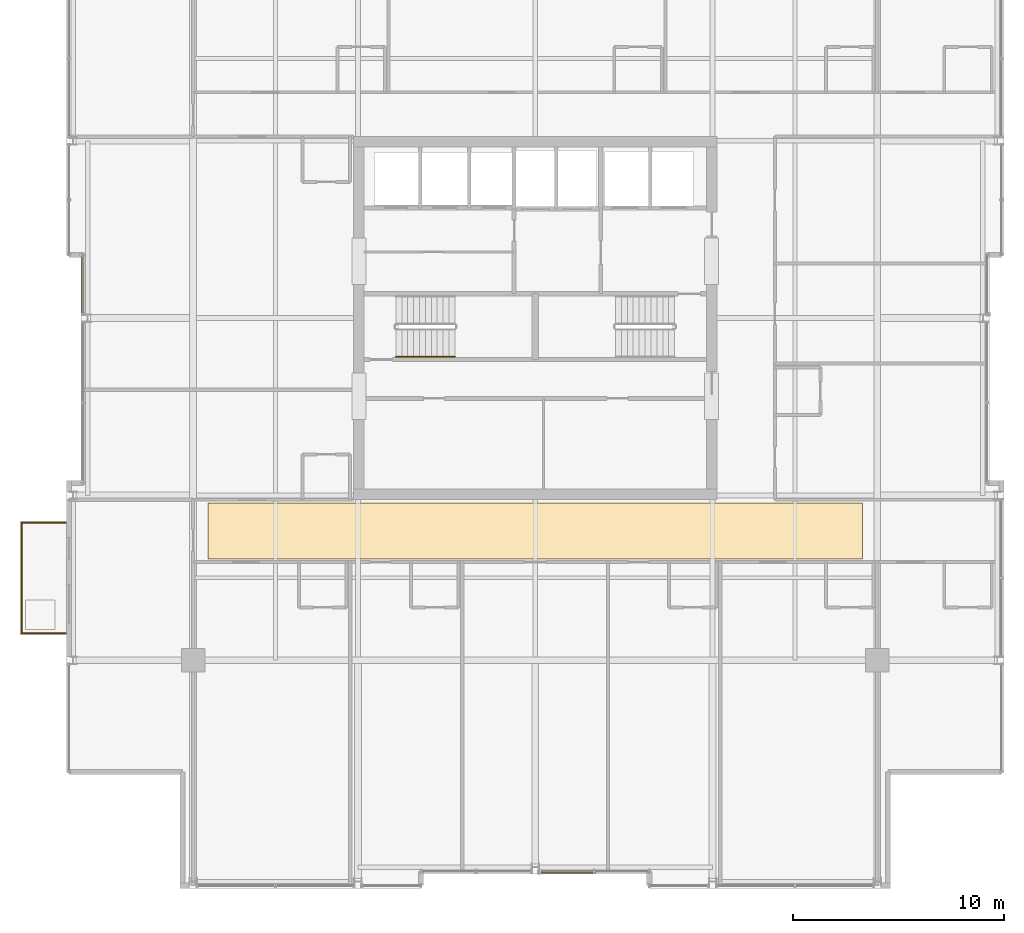
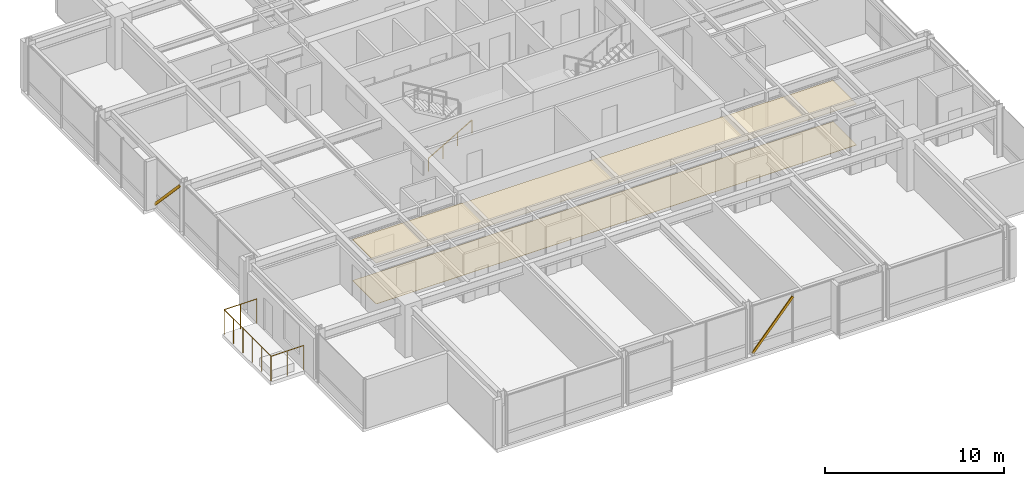
# One storey, part 30 of 32: 2 coverings, 2 railings, 2 shading devices.
"""IFC4 building model written with IfcOpenShell, lengths in metres."""

from ifc_helpers import new_model, si_unit, direction, frame, origin, origin_2d, place, context, subcontext, project, spatial, polyline, hollow_rectangle, circle, outline, extrude, material, layer, layer_set, material_profile, profile_set, type_object, element, save


model = new_model("IFC4")

# Units and contexts
model_context = context("Model", 3, precision=1e-05, world=origin(), true_north=direction((0.0, 1.0)))
body_context = subcontext(model_context, "Body", "Model", "MODEL_VIEW")
ifc_project = project(units=[si_unit("LENGTHUNIT", "METRE"), si_unit("AREAUNIT", "SQUARE_METRE"), si_unit("VOLUMEUNIT", "CUBIC_METRE"), si_unit("PLANEANGLEUNIT", "RADIAN"), si_unit("MASSUNIT", "GRAM", prefix="KILO")], contexts=[model_context])

# Site, building, storey
site_placement = place(None, origin())
site = spatial("IfcSite", under=ifc_project, at=site_placement, CompositionType="ELEMENT")
building_placement = place(site_placement, origin())
building = spatial("IfcBuilding", under=site, at=building_placement, Name="Drelvath Grand Hotel", CompositionType="ELEMENT")
storey_placement = place(building_placement, frame((0.0, 0.0, 226.699951171875)))
storey = spatial("IfcBuildingStorey", under=building, at=storey_placement, Name="L59", CompositionType="ELEMENT", Elevation=226.699951171875)

# Railing
ifc_material_1 = material(Name="Painted Steel S275", Category="steel")
railing_type_1 = type_object("IfcRailingType", Name="Core Stair Wall Handrail 900", PredefinedType="HANDRAIL", material=ifc_material_1)
railing_1_placement = place(storey_placement, frame((-6.60009765625, 25.169921875, 0.16357421875)))
element("IfcRailing", 1, at=railing_1_placement, inside=storey, type_object=railing_type_1, Name="L59 ST-1 stair handrail 1", PredefinedType="HANDRAIL", context=body_context, shape_type="SweptSolid", body=[
    extrude(circle(Radius=0.02392578125, at=origin_2d()), frame((0.0, 0.0, 0.8759765625), z_axis=(0.863360870873, 0.0, 0.504586966384), x_axis=(0.0, 1.0, 0.0)), (0.0, 0.0, 1.0), 3.2431640625),
    extrude(circle(Radius=0.02099609375, at=origin_2d()), origin(), (0.0, 0.0, 1.0), 0.851806640625),
    extrude(circle(Radius=0.02099609375, at=origin_2d()), frame((0.933349609375, 0.0, 0.54541015625)), (0.0, 0.0, 1.0), 0.851806640625),
    extrude(circle(Radius=0.02099609375, at=origin_2d()), frame((1.86669921875, 0.0, 1.091064453125)), (0.0, 0.0, 1.0), 0.851806640625),
    extrude(circle(Radius=0.02099609375, at=origin_2d()), frame((2.800048828125, 0.0, 1.636474609375)), (0.0, 0.0, 1.0), 0.851806640625),
])

# Shading devices
ifc_material_2 = material(Name="Platinum-Mist Anodised Aluminium", Category="aluminium")
ifc_material_profile = material_profile(ifc_material_2, hollow_rectangle(XDim=0.06494140625, YDim=0.159912109375, WallThickness=0.00390625, at=origin_2d()), Name="HSS160X65X4")
ifc_profile_set = profile_set([ifc_material_profile], Name="Platinum-Mist Anodised Aluminium")
shading_device_type = type_object("IfcShadingDeviceType", Name="Diagonal Solar Fin Platinum Anodised HSS160X65X4", PredefinedType="USERDEFINED", material=ifc_profile_set)
shading_device_1_placement = place(storey_placement, frame((-21.47998046875, 30.0, 0.179931640625), z_axis=(0.0, -0.686628779373, 0.727008197572), x_axis=(1.0, 0.0, 0.0)))
element("IfcShadingDevice", 2, at=shading_device_1_placement, inside=storey, type_object=shading_device_type, Name="L59 Diagonal Anodised Fin CW05-L59-WM2", ObjectType="FIN", PredefinedType="USERDEFINED", context=body_context, shape_type="SweptSolid", body=[
    extrude(hollow_rectangle(XDim=0.06494140625, YDim=0.159912109375, WallThickness=0.00390625, at=origin_2d()), origin(), (0.0, 0.0, 1.0), 4.099365234375),
])
shading_device_2_placement = place(storey_placement, frame((0.185302734375, 0.719970703125, 0.179931640625), z_axis=(0.658465322971, 0.0, 0.752611067182), x_axis=(0.0, 1.0, 0.0)))
element("IfcShadingDevice", 3, at=shading_device_2_placement, inside=storey, type_object=shading_device_type, Name="L59 Diagonal Anodised Fin CW05-L59-SM2", ObjectType="FIN", PredefinedType="USERDEFINED", context=body_context, shape_type="SweptSolid", body=[
    extrude(hollow_rectangle(XDim=0.06494140625, YDim=0.159912109375, WallThickness=0.00390625, at=origin_2d()), origin(), (0.0, 0.0, 1.0), 3.9599609375),
])

# Coverings
ifc_material_3 = material(Name="Woven Wool Broadloom Carpet")
ifc_layer_1 = layer(ifc_material_3, 0.01806640625)
ifc_layer_set_1 = layer_set([ifc_layer_1], Name="Woven Wool Broadloom Carpet")
covering_type_1 = type_object("IfcCoveringType", Name="Hospitality Broadloom Carpet 18", PredefinedType="FLOORING", material=ifc_layer_set_1)
covering_1_placement = place(storey_placement, origin())
element("IfcCovering", 4, at=covering_1_placement, inside=storey, type_object=covering_type_1, Name="L59 Upper Gallery Carpet", PredefinedType="FLOORING", context=body_context, shape_type="SweptSolid", body=[
    extrude(outline(polyline([(15.5, 15.60009765625), (15.5, 18.25), (-15.5, 18.25), (-15.5, 15.60009765625), (15.5, 15.60009765625)])), origin(), (0.0, 0.0, 1.0), 0.01806640625),
])
ifc_material_4 = material(Name="Anodised Aluminium Alloy", Category="aluminium")
ifc_layer_2 = layer(ifc_material_4, 0.0400390625)
ifc_layer_set_2 = layer_set([ifc_layer_2], Name="Anodised Aluminium Alloy")
covering_type_2 = type_object("IfcCoveringType", Name="Perforated Metal Corridor Ceiling 40", PredefinedType="CEILING", material=ifc_layer_set_2)
covering_2_placement = place(storey_placement, frame((0.0, 0.0, 2.7900390625)))
element("IfcCovering", 5, at=covering_2_placement, inside=storey, type_object=covering_type_2, Name="L59 Upper Gallery Ceiling", PredefinedType="CEILING", context=body_context, shape_type="SweptSolid", body=[
    extrude(outline(polyline([(15.5, 15.60009765625), (15.5, 18.25), (-15.5, 18.25), (-15.5, 15.60009765625), (15.5, 15.60009765625)])), origin(), (0.0, 0.0, 1.0), 0.0400390625),
])

# Railing
ifc_material_5 = material(Name="Anodised Aluminium and Laminated Glass Balustrade", Category="aluminium")
railing_type_2 = type_object("IfcRailingType", Name="Raised Planter Edge Balustrade 1700", PredefinedType="BALUSTRADE", material=ifc_material_5)
railing_2_placement = place(storey_placement, frame((-22.219970703125, 12.080078125, 0.0)))
element("IfcRailing", 6, at=railing_2_placement, inside=storey, type_object=railing_type_2, Name="L59 Tree Balcony Perimeter Balustrade 1", PredefinedType="BALUSTRADE", context=body_context, shape_type="SweptSolid", body=[
    extrude(circle(Radius=0.02392578125, at=origin_2d()), frame((0.0, 0.0, 1.67578125), z_axis=(-1.0, 0.0, 0.0), x_axis=(0.0, -1.0, 0.0)), (0.0, 0.0, 1.0), 2.10009765625),
    extrude(circle(Radius=0.02392578125, at=origin_2d()), frame((-2.10009765625, 0.0, 1.67578125), z_axis=(0.0, 1.0, 0.0), x_axis=(-1.0, 0.0, 0.0)), (0.0, 0.0, 1.0), 5.239990234375),
    extrude(circle(Radius=0.02392578125, at=origin_2d()), frame((-2.10009765625, 5.239990234375, 1.67578125), z_axis=(1.0, 0.0, 0.0), x_axis=(0.0, 1.0, 0.0)), (0.0, 0.0, 1.0), 2.10009765625),
    extrude(circle(Radius=0.02099609375, at=origin_2d()), origin(), (0.0, 0.0, 1.0), 1.65185546875),
    extrude(circle(Radius=0.02099609375, at=origin_2d()), frame((-1.050048828125, 0.0, 0.0)), (0.0, 0.0, 1.0), 1.65185546875),
    extrude(circle(Radius=0.02099609375, at=origin_2d()), frame((-2.10009765625, 0.0, 0.0)), (0.0, 0.0, 1.0), 1.65185546875),
    extrude(circle(Radius=0.02099609375, at=origin_2d()), frame((-2.10009765625, 1.048095703125, 0.0)), (0.0, 0.0, 1.0), 1.65185546875),
    extrude(circle(Radius=0.02099609375, at=origin_2d()), frame((-2.10009765625, 2.095947265625, 0.0)), (0.0, 0.0, 1.0), 1.65185546875),
    extrude(circle(Radius=0.02099609375, at=origin_2d()), frame((-2.10009765625, 3.14404296875, 0.0)), (0.0, 0.0, 1.0), 1.65185546875),
    extrude(circle(Radius=0.02099609375, at=origin_2d()), frame((-2.10009765625, 4.19189453125, 0.0)), (0.0, 0.0, 1.0), 1.65185546875),
    extrude(circle(Radius=0.02099609375, at=origin_2d()), frame((-2.10009765625, 5.239990234375, 0.0)), (0.0, 0.0, 1.0), 1.65185546875),
    extrude(circle(Radius=0.02099609375, at=origin_2d()), frame((-1.050048828125, 5.239990234375, 0.0)), (0.0, 0.0, 1.0), 1.65185546875),
    extrude(circle(Radius=0.02099609375, at=origin_2d()), frame((0.0, 5.239990234375, 0.0)), (0.0, 0.0, 1.0), 1.65185546875),
])

save(model, "model.ifc")
